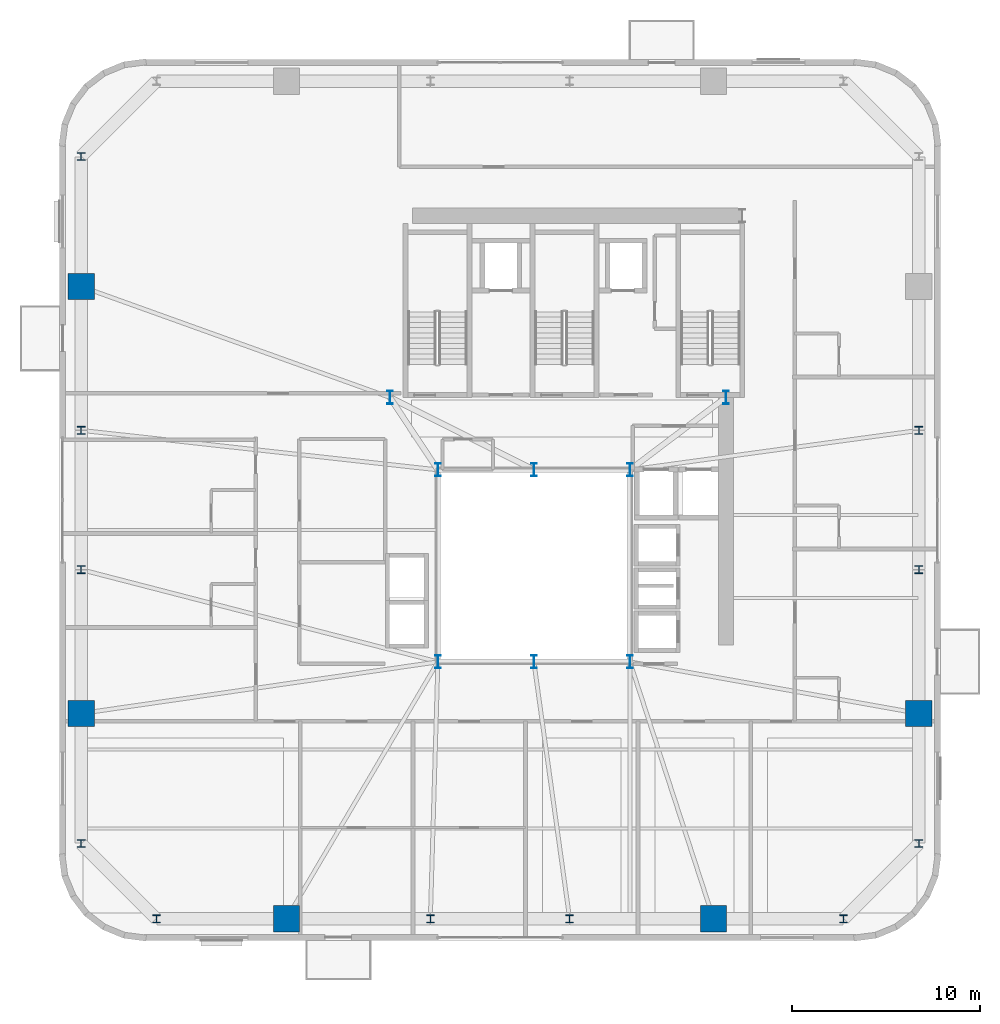
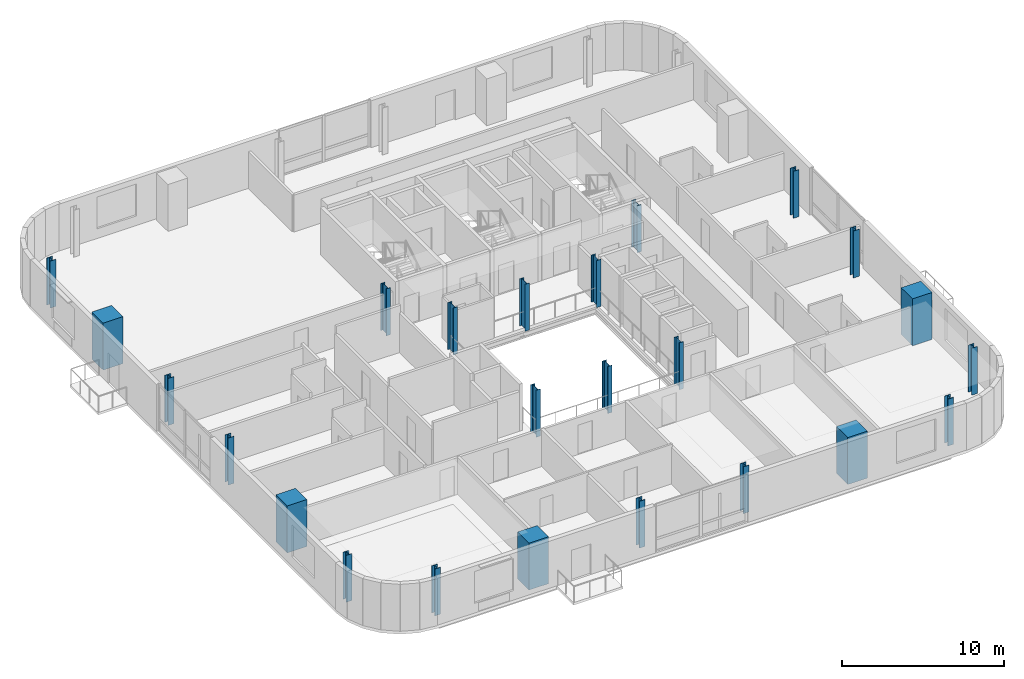
# One storey, part 1 of 16: 24 columns.
"""IFC4 building model written with IfcOpenShell, lengths in metres."""

from ifc_helpers import new_model, si_unit, direction, frame, origin, origin_2d, place, context, subcontext, project, spatial, rectangle, i_section, extrude, source, transform, mapped, material, material_profile, profile_set, type_object, element, save


model = new_model("IFC4")

# Units and contexts
model_context = context("Model", 3, precision=1e-05, world=origin(), true_north=direction((0.0, 1.0)))
body_context = subcontext(model_context, "Body", "Model", "MODEL_VIEW")
ifc_project = project(units=[si_unit("LENGTHUNIT", "METRE"), si_unit("AREAUNIT", "SQUARE_METRE"), si_unit("VOLUMEUNIT", "CUBIC_METRE"), si_unit("PLANEANGLEUNIT", "RADIAN"), si_unit("MASSUNIT", "GRAM", prefix="KILO")], contexts=[model_context])

# Site, building, storey
site_placement = place(None, origin())
site = spatial("IfcSite", under=ifc_project, at=site_placement, CompositionType="ELEMENT")
building_placement = place(site_placement, origin())
building = spatial("IfcBuilding", under=site, at=building_placement, Name="Vardaveli Station Tower", CompositionType="ELEMENT")
storey_placement = place(building_placement, frame((0.0, 0.0, 203.550048828125)))
storey = spatial("IfcBuildingStorey", under=building, at=storey_placement, Name="L52", CompositionType="ELEMENT", Elevation=203.550048828125)

# Columns
ifc_material_1 = material(Name="Structural steel S460M", Category="steel")
ifc_material_profile_1 = material_profile(ifc_material_1, i_section(OverallWidth=0.300048828125, OverallDepth=0.699951171875, WebThickness=0.01708984375, FlangeThickness=0.031982421875, FilletRadius=0.027099609375, at=origin_2d()), Name="HEB 700")
ifc_profile_set_1 = profile_set([ifc_material_profile_1], Name="Structural steel S460M")
column_type_1 = type_object("IfcColumnType", Name="COL-HEB700", PredefinedType="COLUMN", material=ifc_profile_set_1)
shared_shape_1 = source(origin(), body_context, "Body", "SweptSolid", [
    extrude(i_section(OverallWidth=0.300048828125, OverallDepth=0.699951171875, WebThickness=0.01708984375, FlangeThickness=0.031982421875, FilletRadius=0.027099609375, at=origin_2d()), origin(), (0.0, 0.0, 1.0), 3.530029296875),
])
for number, where, z_axis, x_axis, name in (
    (1, (31.199951171875, 16.60009765625, 0.0), (0.0, 0.0, 1.0), (1.0, 0.0, 0.0), "COL-L52-AC1"),
    (2, (36.300048828125, 16.60009765625, 0.0), (0.0, 0.0, 1.0), (1.0, 0.0, 0.0), "COL-L52-AC2"),
    (3, (41.39990234375, 16.60009765625, 0.0), (0.0, 0.0, 1.0), (1.0, 0.0, 0.0), "COL-L52-AC3"),
    (4, (41.39990234375, 26.800048828125, 0.0), (0.0, 0.0, 1.0), (1.0, 0.0, 0.0), "COL-L52-AC4"),
    (5, (36.300048828125, 26.800048828125, 0.0), (0.0, 0.0, 1.0), (1.0, 0.0, 0.0), "COL-L52-AC5"),
    (6, (31.199951171875, 26.800048828125, 0.0), (0.0, 0.0, 1.0), (1.0, 0.0, 0.0), "COL-L52-AC6"),
    (7, (28.64990234375, 30.64990234375, 0.0), (0.0, 0.0, 1.0), (1.0, 0.0, 0.0), "COL-L52-CC1"),
    (8, (46.5, 30.64990234375, 0.0), (0.0, 0.0, 1.0), (1.0, 0.0, 0.0), "COL-L52-CC2"),
):
    element("IfcColumn", number, at=place(storey_placement, frame(where, z_axis=z_axis, x_axis=x_axis)), inside=storey, type_object=column_type_1, Name=name, PredefinedType="COLUMN", context=body_context, shape_type="MappedRepresentation", body=[
        mapped(shared_shape_1, transform((0.0, 0.0, 0.0), scale=1.0)),
    ])
ifc_material_2 = material(Name="Concrete C50/60", Category="concrete")
ifc_material_profile_2 = material_profile(ifc_material_2, rectangle(XDim=1.39990234375, YDim=1.39990234375, at=origin_2d()), Name="MC 1400x1400")
ifc_profile_set_2 = profile_set([ifc_material_profile_2], Name="Concrete C50/60")
column_type_2 = type_object("IfcColumnType", Name="COL-MC-1400", PredefinedType="COLUMN", material=ifc_profile_set_2)
shared_shape_2 = source(origin(), body_context, "Body", "SweptSolid", [
    extrude(rectangle(XDim=1.39990234375, YDim=1.39990234375, at=origin_2d()), origin(), (0.0, 0.0, 1.0), 3.530029296875),
])
for number, where, z_axis, x_axis, name in (
    (9, (23.159912109375, 2.949951171875, 0.0), (0.0, 0.0, 1.0), (1.0, 0.0, 0.0), "COL-L52-MC1"),
    (10, (45.840087890625, 2.949951171875, 0.0), (0.0, 0.0, 1.0), (1.0, 0.0, 0.0), "COL-L52-MC2"),
    (11, (56.75, 13.860107421875, 0.0), (0.0, 0.0, 1.0), (1.0, 0.0, 0.0), "COL-L52-MC3"),
    (12, (12.25, 36.5400390625, 0.0), (0.0, 0.0, 1.0), (1.0, 0.0, 0.0), "COL-L52-MC7"),
    (13, (12.25, 13.860107421875, 0.0), (0.0, 0.0, 1.0), (1.0, 0.0, 0.0), "COL-L52-MC8"),
):
    element("IfcColumn", number, at=place(storey_placement, frame(where, z_axis=z_axis, x_axis=x_axis)), inside=storey, type_object=column_type_2, Name=name, PredefinedType="COLUMN", context=body_context, shape_type="MappedRepresentation", body=[
        mapped(shared_shape_2, transform((0.0, 0.0, 0.0), scale=1.0)),
    ])
ifc_material_profile_3 = material_profile(ifc_material_1, i_section(OverallWidth=0.408935546875, OverallDepth=0.4169921875, WebThickness=0.021240234375, FlangeThickness=0.033203125, FilletRadius=0.014892578125, at=origin_2d()), Name="HD 400x347")
ifc_profile_set_3 = profile_set([ifc_material_profile_3], Name="Structural steel S460M")
column_type_3 = type_object("IfcColumnType", Name="COL-HD347", PredefinedType="COLUMN", material=ifc_profile_set_3)
shared_shape_3 = source(origin(), body_context, "Body", "SweptSolid", [
    extrude(i_section(OverallWidth=0.408935546875, OverallDepth=0.4169921875, WebThickness=0.021240234375, FlangeThickness=0.033203125, FilletRadius=0.014892578125, at=origin_2d()), origin(), (0.0, 0.0, 1.0), 3.530029296875),
])
for number, where, z_axis, x_axis, name in (
    (14, (16.25, 2.949951171875, 0.0), (0.0, 0.0, 1.0), (1.0, 0.0, 0.0), "COL-L52-PC01"),
    (15, (30.800048828125, 2.949951171875, 0.0), (0.0, 0.0, 1.0), (1.0, 0.0, 0.0), "COL-L52-PC02"),
    (16, (38.199951171875, 2.949951171875, 0.0), (0.0, 0.0, 1.0), (1.0, 0.0, 0.0), "COL-L52-PC03"),
    (17, (52.75, 2.949951171875, 0.0), (0.0, 0.0, 1.0), (1.0, 0.0, 0.0), "COL-L52-PC04"),
    (18, (56.75, 6.949951171875, 0.0), (0.0, 0.0, 1.0), (1.0, 0.0, 0.0), "COL-L52-PC05"),
    (19, (56.75, 21.5, 0.0), (0.0, 0.0, 1.0), (1.0, 0.0, 0.0), "COL-L52-PC06"),
    (20, (56.75, 28.89990234375, 0.0), (0.0, 0.0, 1.0), (1.0, 0.0, 0.0), "COL-L52-PC07"),
    (21, (12.25, 43.449951171875, 0.0), (0.0, 0.0, 1.0), (1.0, 0.0, 0.0), "COL-L52-PC13"),
    (22, (12.25, 28.89990234375, 0.0), (0.0, 0.0, 1.0), (1.0, 0.0, 0.0), "COL-L52-PC14"),
    (23, (12.25, 21.5, 0.0), (0.0, 0.0, 1.0), (1.0, 0.0, 0.0), "COL-L52-PC15"),
    (24, (12.25, 6.949951171875, 0.0), (0.0, 0.0, 1.0), (1.0, 0.0, 0.0), "COL-L52-PC16"),
):
    element("IfcColumn", number, at=place(storey_placement, frame(where, z_axis=z_axis, x_axis=x_axis)), inside=storey, type_object=column_type_3, Name=name, PredefinedType="COLUMN", context=body_context, shape_type="MappedRepresentation", body=[
        mapped(shared_shape_3, transform((0.0, 0.0, 0.0), scale=1.0)),
    ])

save(model, "model.ifc")
